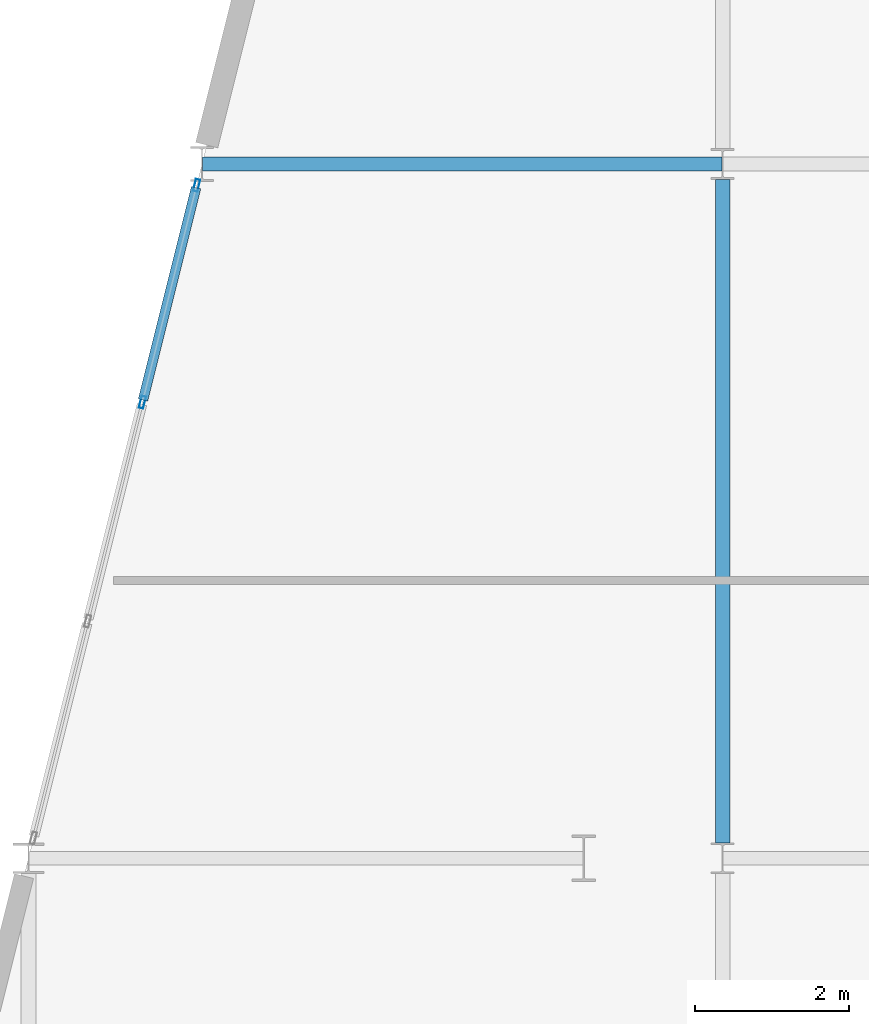
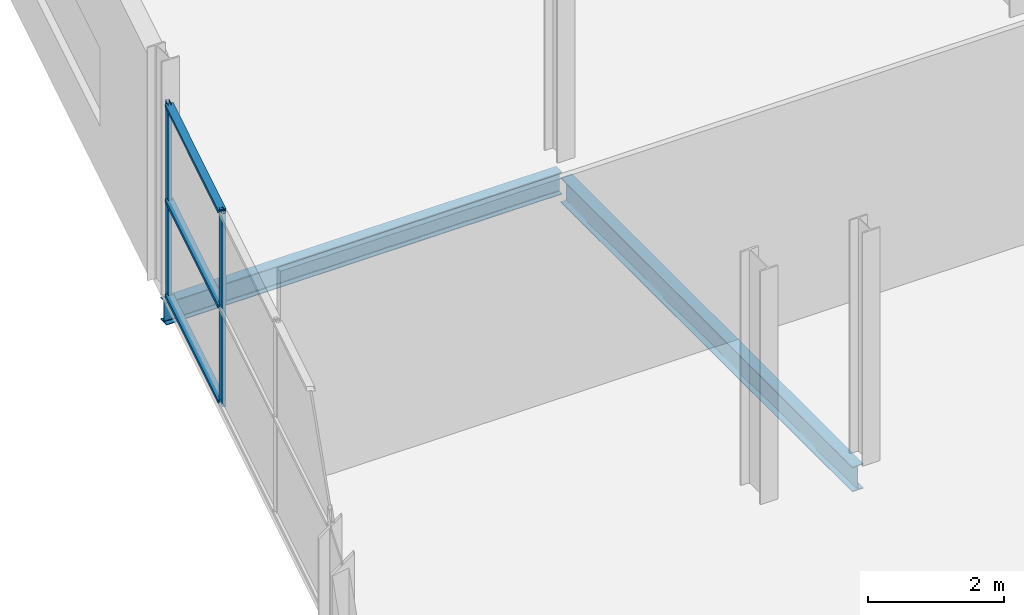
# One storey, part 43 of 88: 5 members, 2 beams, 1 element without a shape of its own.
"""IFC4 building model written with IfcOpenShell, lengths in metres."""

from ifc_helpers import new_model, si_unit, direction, frame, origin, origin_2d, place, context, subcontext, project, spatial, hollow_rectangle, i_section, extrude, material, layer, layer_set, material_profile, profile_set, type_object, element, aggregate, save


model = new_model("IFC4")

# Units and contexts
model_context = context("Model", 3, precision=1e-05, world=origin(), true_north=direction((0.0, 1.0)))
body_context = subcontext(model_context, "Body", "Model", "MODEL_VIEW")
ifc_project = project(units=[si_unit("LENGTHUNIT", "METRE"), si_unit("AREAUNIT", "SQUARE_METRE"), si_unit("VOLUMEUNIT", "CUBIC_METRE"), si_unit("PLANEANGLEUNIT", "RADIAN"), si_unit("MASSUNIT", "GRAM", prefix="KILO")], contexts=[model_context])

# Site, building, storey
site_placement = place(None, origin())
site = spatial("IfcSite", under=ifc_project, at=site_placement, CompositionType="ELEMENT")
building_placement = place(site_placement, origin())
building = spatial("IfcBuilding", under=site, at=building_placement, Name="Deido Ridge Mobility Hub", CompositionType="ELEMENT")
storey_placement = place(building_placement, frame((0.0, 0.0, 16.800048828125)))
storey = spatial("IfcBuildingStorey", under=building, at=storey_placement, Name="L04", CompositionType="ELEMENT", Elevation=16.800048828125)

# Beams
ifc_material_1 = material(Name="Steel S355J2 EN 10025-2", Category="steel")
ifc_material_profile_1 = material_profile(ifc_material_1, i_section(OverallWidth=0.179931640625, OverallDepth=0.39990234375, WebThickness=0.008544921875, FlangeThickness=0.013427734375, FilletRadius=0.02099609375, at=origin_2d()), Name="IPE 400")
ifc_profile_set_1 = profile_set([ifc_material_profile_1], Name="Steel S355J2 EN 10025-2")
beam_type_1 = type_object("IfcBeamType", Name="BM-IPE400", PredefinedType="BEAM", material=ifc_profile_set_1)
beam_1_placement = place(storey_placement, frame((128.257080078125, 27.0, -0.47509765625), z_axis=(1.0, 0.0, 0.0), x_axis=(0.0, 1.0, 0.0)))
element("IfcBeam", 1, at=beam_1_placement, inside=storey, type_object=beam_type_1, Name="Floor beam B5", PredefinedType="BEAM", context=body_context, shape_type="SweptSolid", body=[
    extrude(i_section(OverallWidth=0.179931640625, OverallDepth=0.39990234375, WebThickness=0.008544921875, FlangeThickness=0.013427734375, FilletRadius=0.02099609375, at=origin_2d()), origin(), (0.0, 0.0, 1.0), 6.736083984375),
])
ifc_material_profile_2 = material_profile(ifc_material_1, i_section(OverallWidth=0.18994140625, OverallDepth=0.449951171875, WebThickness=0.009521484375, FlangeThickness=0.0146484375, FilletRadius=0.02099609375, at=origin_2d()), Name="IPE 450")
ifc_profile_set_2 = profile_set([ifc_material_profile_2], Name="Steel S355J2 EN 10025-2")
beam_type_2 = type_object("IfcBeamType", Name="BM-IPE450", PredefinedType="BEAM", material=ifc_profile_set_2)
beam_2_placement = place(storey_placement, frame((135.0, 18.199951171875, -0.5), z_axis=(0.0, 1.0, 0.0), x_axis=(-1.0, 0.0, 0.0)))
element("IfcBeam", 2, at=beam_2_placement, inside=storey, type_object=beam_type_2, Name="Floor beam B4", PredefinedType="BEAM", context=body_context, shape_type="SweptSolid", body=[
    extrude(i_section(OverallWidth=0.18994140625, OverallDepth=0.449951171875, WebThickness=0.009521484375, FlangeThickness=0.0146484375, FilletRadius=0.02099609375, at=origin_2d()), origin(), (0.0, 0.0, 1.0), 8.60009765625),
])

# Curtain wall, members
ifc_material_2 = material(Name="Anodised aluminium EN AW-6063 T6", Category="aluminium")
ifc_layer = layer(ifc_material_2, 0.2099609375, Name="Anodised aluminium EN AW-6063 T6")
ifc_layer_set = layer_set([ifc_layer], Name="Anodised aluminium EN AW-6063 T6")
curtain_wall_type = type_object("IfcCurtainWallType", Name="CW-UF-4", PredefinedType="USERDEFINED", material=ifc_layer_set)
curtain_wall_placement = place(storey_placement, origin())
curtain_wall = element("IfcCurtainWall", 3, at=curtain_wall_placement, inside=storey, type_object=curtain_wall_type, Name="Unitised curtain wall CW4", ObjectType="UNITISED FACADE", PredefinedType="USERDEFINED")
ifc_material_profile_3 = material_profile(ifc_material_2, hollow_rectangle(XDim=0.06005859375, YDim=0.159912109375, WallThickness=0.00390625, at=origin_2d()), Name="RHS 60x160x4")
ifc_profile_set_3 = profile_set([ifc_material_profile_3], Name="Anodised aluminium EN AW-6063 T6")
member_type_1 = type_object("IfcMemberType", Name="MEM-MUL-60X160", PredefinedType="MULLION", material=ifc_profile_set_3)
member_1_placement = place(storey_placement, frame((127.47802734375, 23.91259765625, 0.0), z_axis=(0.0, 0.0, 1.0), x_axis=(-0.97014383958, 0.242530267235, 0.0)))
member_1 = element("IfcMember", 4, at=member_1_placement, type_object=member_type_1, Name="CW4 mullion 3", PredefinedType="MULLION", context=body_context, shape_type="SweptSolid", body=[
    extrude(hollow_rectangle(XDim=0.06005859375, YDim=0.159912109375, WallThickness=0.00390625, at=origin_2d()), origin(), (0.0, 0.0, 1.0), 3.48486328125),
])
member_2_placement = place(storey_placement, frame((128.180908203125, 26.723876953125, 0.0), z_axis=(0.0, 0.0, 1.0), x_axis=(-0.97014383958, 0.242530267235, 0.0)))
member_2 = element("IfcMember", 5, at=member_2_placement, type_object=member_type_1, Name="CW4 mullion 4", PredefinedType="MULLION", context=body_context, shape_type="SweptSolid", body=[
    extrude(hollow_rectangle(XDim=0.06005859375, YDim=0.159912109375, WallThickness=0.00390625, at=origin_2d()), origin(), (0.0, 0.0, 1.0), 3.48486328125),
])
ifc_material_profile_4 = material_profile(ifc_material_2, hollow_rectangle(XDim=0.125, YDim=0.06005859375, WallThickness=0.00390625, at=origin_2d()), Name="RHS 125x60x4")
ifc_profile_set_4 = profile_set([ifc_material_profile_4], Name="Anodised aluminium EN AW-6063 T6")
member_type_2 = type_object("IfcMemberType", Name="MEM-TRN-125X60", PredefinedType="USERDEFINED", material=ifc_profile_set_4)
member_3_placement = place(storey_placement, frame((127.4853515625, 23.941650390625, 0.030029296875), z_axis=(0.242535625036, 0.970142500145, 0.0), x_axis=(-0.970142500145, 0.242535625036, 0.0)))
member_3 = element("IfcMember", 6, at=member_3_placement, type_object=member_type_2, Name="CW4 transom 3.1", ObjectType="TRANSOM", PredefinedType="USERDEFINED", context=body_context, shape_type="SweptSolid", body=[
    extrude(hollow_rectangle(XDim=0.125, YDim=0.06005859375, WallThickness=0.00390625, at=origin_2d()), origin(), (0.0, 0.0, 1.0), 2.837646484375),
])
member_4_placement = place(storey_placement, frame((127.4853515625, 23.941650390625, 1.742431640625), z_axis=(0.242535625036, 0.970142500145, 0.0), x_axis=(-0.970142500145, 0.242535625036, 0.0)))
member_4 = element("IfcMember", 7, at=member_4_placement, type_object=member_type_2, Name="CW4 transom 3.2", ObjectType="TRANSOM", PredefinedType="USERDEFINED", context=body_context, shape_type="SweptSolid", body=[
    extrude(hollow_rectangle(XDim=0.125, YDim=0.06005859375, WallThickness=0.00390625, at=origin_2d()), origin(), (0.0, 0.0, 1.0), 2.837646484375),
])
member_5_placement = place(storey_placement, frame((127.4853515625, 23.941650390625, 3.454833984375), z_axis=(0.242535625036, 0.970142500145, 0.0), x_axis=(-0.970142500145, 0.242535625036, 0.0)))
member_5 = element("IfcMember", 8, at=member_5_placement, type_object=member_type_2, Name="CW4 transom 3.3", ObjectType="TRANSOM", PredefinedType="USERDEFINED", context=body_context, shape_type="SweptSolid", body=[
    extrude(hollow_rectangle(XDim=0.125, YDim=0.06005859375, WallThickness=0.00390625, at=origin_2d()), origin(), (0.0, 0.0, 1.0), 2.837646484375),
])
aggregate(curtain_wall, [member_1, member_2, member_3, member_4, member_5])

save(model, "model.ifc")
